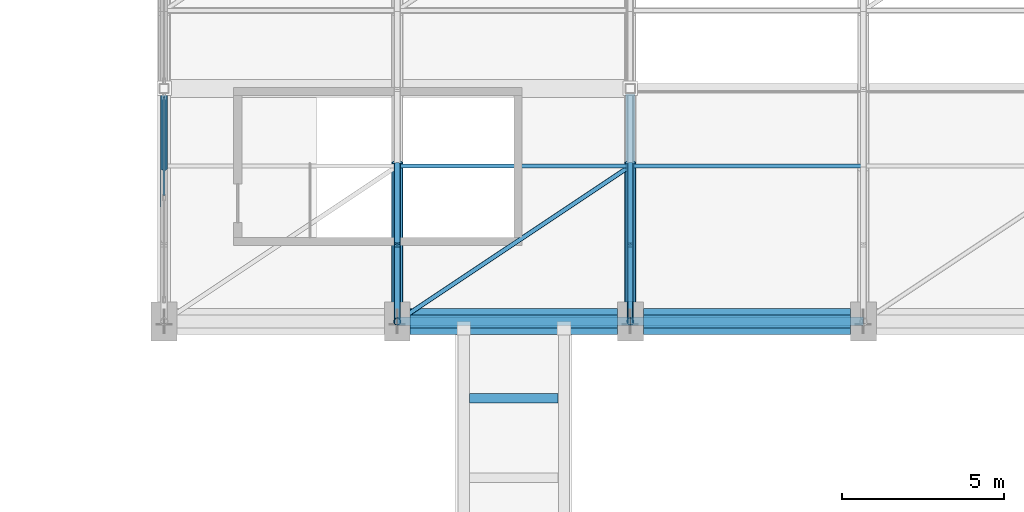
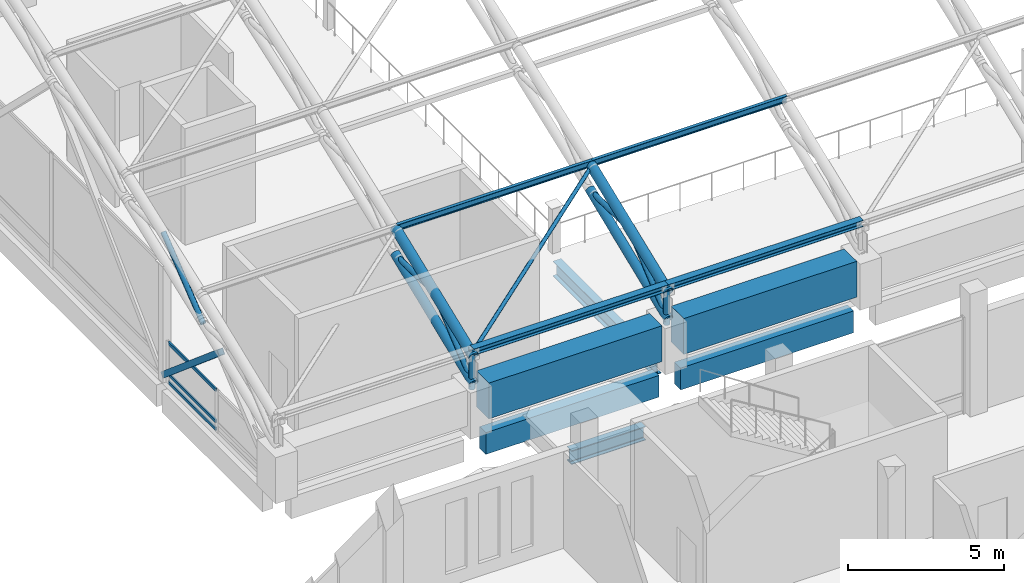
# One storey, part 27 of 116: 20 members, 6 beams, 1 element without a shape of its own.
"""IFC4 building model written with IfcOpenShell, lengths in metres."""

from ifc_helpers import new_model, si_unit, direction, frame, origin, origin_2d, place, context, subcontext, project, spatial, rectangle, hollow_rectangle, hollow_circle, i_section, extrude, material, material_profile, profile_set, type_object, element, aggregate, save


model = new_model("IFC4")

# Units and contexts
model_context = context("Model", 3, precision=1e-05, world=origin(), true_north=direction((0.0, 1.0)))
body_context = subcontext(model_context, "Body", "Model", "MODEL_VIEW")
ifc_project = project(units=[si_unit("LENGTHUNIT", "METRE"), si_unit("AREAUNIT", "SQUARE_METRE"), si_unit("VOLUMEUNIT", "CUBIC_METRE"), si_unit("PLANEANGLEUNIT", "RADIAN"), si_unit("MASSUNIT", "GRAM", prefix="KILO")], contexts=[model_context])

# Site, building, storey
site_placement = place(None, origin())
site = spatial("IfcSite", under=ifc_project, at=site_placement, CompositionType="ELEMENT")
building_placement = place(site_placement, origin())
building = spatial("IfcBuilding", under=site, at=building_placement, Name="Cendralis Lancet Convention Centre", CompositionType="ELEMENT")
storey_placement = place(building_placement, frame((0.0, 0.0, 15.0)))
storey = spatial("IfcBuildingStorey", under=building, at=storey_placement, Name="L03", CompositionType="ELEMENT", Elevation=15.0)

# Curtain wall, members
ifc_material_1 = material(Name="Anodised bronze architectural aluminium", Category="aluminium")
curtain_wall_type = type_object("IfcCurtainWallType", Name="ARC-CW-PL02", PredefinedType="USERDEFINED", material=ifc_material_1)
curtain_wall_placement = place(storey_placement, origin())
curtain_wall = element("IfcCurtainWall", 1, at=curtain_wall_placement, inside=storey, type_object=curtain_wall_type, Name="L03 Curtain Wall CW-PL2 #136", ObjectType="CURTAIN WALL", PredefinedType="USERDEFINED")
ifc_material_profile_1 = material_profile(ifc_material_1, hollow_rectangle(XDim=0.06005859375, YDim=0.1201171875, WallThickness=0.00390625, at=origin_2d()), Name="AL-TRAN 60x120x4.0")
ifc_profile_set_1 = profile_set([ifc_material_profile_1], Name="Anodised bronze architectural aluminium")
member_type_1 = type_object("IfcMemberType", Name="ARC-CW-TR01", PredefinedType="USERDEFINED", material=ifc_profile_set_1)
member_1_placement = place(storey_placement, frame((139.199951171875, 47.094970703125, 0.06005859375), z_axis=(0.0, 1.0, 0.0), x_axis=(-1.0, 0.0, 0.0)))
member_1 = element("IfcMember", 2, at=member_1_placement, type_object=member_type_1, Name="Transom CW2-CW-PL2-L03-136-T1BOT", ObjectType="TRANSOM", PredefinedType="USERDEFINED", context=body_context, shape_type="SweptSolid", body=[
    extrude(hollow_rectangle(XDim=0.06005859375, YDim=0.1201171875, WallThickness=0.00390625, at=origin_2d()), origin(), (0.0, 0.0, 1.0), 3.034912109375),
])
member_2_placement = place(storey_placement, frame((139.199951171875, 47.094970703125, 0.363037109375), z_axis=(0.0, 1.0, 0.0), x_axis=(-1.0, 0.0, 0.0)))
member_2 = element("IfcMember", 3, at=member_2_placement, type_object=member_type_1, Name="Transom CW2-CW-PL2-L03-136-T1MID", ObjectType="TRANSOM", PredefinedType="USERDEFINED", context=body_context, shape_type="SweptSolid", body=[
    extrude(hollow_rectangle(XDim=0.06005859375, YDim=0.1201171875, WallThickness=0.00390625, at=origin_2d()), origin(), (0.0, 0.0, 1.0), 3.034912109375),
])
member_3_placement = place(storey_placement, frame((139.199951171875, 47.094970703125, 1.590087890625), z_axis=(0.0, 1.0, 0.0), x_axis=(-1.0, 0.0, 0.0)))
member_3 = element("IfcMember", 4, at=member_3_placement, type_object=member_type_1, Name="Transom CW2-CW-PL2-L03-136-T1TOP", ObjectType="TRANSOM", PredefinedType="USERDEFINED", context=body_context, shape_type="SweptSolid", body=[
    extrude(hollow_rectangle(XDim=0.06005859375, YDim=0.1201171875, WallThickness=0.00390625, at=origin_2d()), origin(), (0.0, 0.0, 1.0), 3.034912109375),
])
aggregate(curtain_wall, [member_1, member_2, member_3])

# Beams
ifc_material_2 = material(Name="Concrete G40 (C40/50)", Category="concrete")
ifc_material_profile_2 = material_profile(ifc_material_2, rectangle(XDim=0.800048828125, YDim=1.39990234375, at=origin_2d()), Name="RCB 800x1400")
ifc_profile_set_2 = profile_set([ifc_material_profile_2], Name="Concrete G40 (C40/50)")
beam_type_1 = type_object("IfcBeamType", Name="STR-BM-BG17", PredefinedType="BEAM", material=ifc_profile_set_2)
for number, where, z_axis, x_axis, name in (
    (5, (146.800048828125, 43.199951171875, 1.10009765625), (1.0, 0.0, 0.0), (0.0, 1.0, 0.0), "L03 Beam BG17 #1560"),
    (6, (154.0, 43.199951171875, 1.10009765625), (1.0, 0.0, 0.0), (0.0, 1.0, 0.0), "L03 Beam BG17 #1561"),
):
    element("IfcBeam", number, at=place(storey_placement, frame(where, z_axis=z_axis, x_axis=x_axis)), inside=storey, type_object=beam_type_1, Name=name, PredefinedType="BEAM", context=body_context, shape_type="SweptSolid", body=[
        extrude(rectangle(XDim=0.800048828125, YDim=1.39990234375, at=origin_2d()), origin(), (0.0, 0.0, 1.0), 6.39990234375),
    ])
ifc_material_3 = material(Name="Steel S355", Category="steel")
ifc_material_profile_3 = material_profile(ifc_material_3, i_section(OverallWidth=0.300048828125, OverallDepth=0.590087890625, WebThickness=0.012939453125, FlangeThickness=0.02490234375, FilletRadius=0.027099609375, at=origin_2d()), Name="HEA 600")
ifc_profile_set_3 = profile_set([ifc_material_profile_3], Name="Steel S355")
beam_type_2 = type_object("IfcBeamType", Name="STR-BM-SG10", PredefinedType="BEAM", material=ifc_profile_set_3)
beam_1_placement = place(storey_placement, frame((153.60009765625, 43.800048828125, -0.554931640625), z_axis=(0.0, 1.0, 0.0), x_axis=(-1.0, 0.0, 0.0)))
element("IfcBeam", 7, at=beam_1_placement, inside=storey, type_object=beam_type_2, Name="L03 Beam SG10 #1537", PredefinedType="BEAM", context=body_context, shape_type="SweptSolid", body=[
    extrude(i_section(OverallWidth=0.300048828125, OverallDepth=0.590087890625, WebThickness=0.012939453125, FlangeThickness=0.02490234375, FilletRadius=0.027099609375, at=origin_2d()), origin(), (0.0, 0.0, 1.0), 6.425048828125),
])
ifc_material_profile_4 = material_profile(ifc_material_3, i_section(OverallWidth=0.300048828125, OverallDepth=0.5400390625, WebThickness=0.012451171875, FlangeThickness=0.02392578125, FilletRadius=0.027099609375, at=origin_2d()), Name="HEA 550")
ifc_profile_set_4 = profile_set([ifc_material_profile_4], Name="Steel S355")
beam_type_3 = type_object("IfcBeamType", Name="STR-BM-SG11", PredefinedType="BEAM", material=ifc_profile_set_4)
beam_2_placement = place(storey_placement, frame((148.6298828125, 40.823974609375, -0.469970703125), z_axis=(1.0, 0.0, 0.0), x_axis=(0.0, 1.0, 0.0)))
element("IfcBeam", 8, at=beam_2_placement, inside=storey, type_object=beam_type_3, Name="L03 Beam SG11 #1943", PredefinedType="BEAM", context=body_context, shape_type="SweptSolid", body=[
    extrude(i_section(OverallWidth=0.300048828125, OverallDepth=0.5400390625, WebThickness=0.012451171875, FlangeThickness=0.02392578125, FilletRadius=0.027099609375, at=origin_2d()), origin(), (0.0, 0.0, 1.0), 2.740234375),
])

# Members
ifc_material_profile_5 = material_profile(ifc_material_3, hollow_rectangle(XDim=0.219970703125, YDim=0.219970703125, WallThickness=0.012451171875, at=origin_2d()), Name="SHS 220x220x12.5")
ifc_profile_set_5 = profile_set([ifc_material_profile_5], Name="Steel S355")
member_type_2 = type_object("IfcMemberType", Name="STR-BR-GB02", PredefinedType="BRACE", material=ifc_profile_set_5)
member_4_placement = place(storey_placement, frame((139.199951171875, 50.39990234375, 0.199951171875), z_axis=(0.0, -0.762583352591, 0.646889967732), x_axis=(1.0, 0.0, 0.0)))
element("IfcMember", 9, at=member_4_placement, inside=storey, type_object=member_type_2, Name="Plenary Gable Gothic Ogival Tracery Rib GBR2 #062", PredefinedType="BRACE", context=body_context, shape_type="SweptSolid", body=[
    extrude(hollow_rectangle(XDim=0.219970703125, YDim=0.219970703125, WallThickness=0.012451171875, at=origin_2d()), origin(), (0.0, 0.0, 1.0), 4.720703125),
])
ifc_material_profile_6 = material_profile(ifc_material_3, hollow_circle(Radius=0.06982421875, WallThickness=0.00634765625, at=origin_2d()), Name="CHS 139.7x6.3")
ifc_profile_set_6 = profile_set([ifc_material_profile_6], Name="Steel S355")
member_type_3 = type_object("IfcMemberType", Name="STR-BR-RB02", PredefinedType="BRACE", material=ifc_profile_set_6)
member_5_placement = place(storey_placement, frame((146.39990234375, 43.199951171875, 2.85009765625), z_axis=(0.812611226242, 0.541731632956, 0.214918200349), x_axis=(-0.554693685541, 0.832054634757, 0.0)))
element("IfcMember", 10, at=member_5_placement, inside=storey, type_object=member_type_3, Name="Roof Diaphragm Brace RB02 V2-01-00A", PredefinedType="BRACE", context=body_context, shape_type="SweptSolid", body=[
    extrude(hollow_circle(Radius=0.06982421875, WallThickness=0.00634765625, at=origin_2d()), origin(), (0.0, 0.0, 1.0), 8.860595703125),
])
ifc_material_profile_7 = material_profile(ifc_material_3, i_section(OverallWidth=0.1201171875, OverallDepth=0.239990234375, WebThickness=0.006103515625, FlangeThickness=0.009765625, FilletRadius=0.014892578125, at=origin_2d()), Name="IPE 240")
ifc_profile_set_7 = profile_set([ifc_material_profile_7], Name="Steel S355")
member_type_4 = type_object("IfcMemberType", Name="STR-PR-PR02", PredefinedType="PURLIN", material=ifc_profile_set_7)
member_6_placement = place(storey_placement, frame((146.39990234375, 48.0, 4.884521484375), z_axis=(1.0, 0.0, 0.0), x_axis=(0.0, 1.0, 0.0)))
element("IfcMember", 11, at=member_6_placement, inside=storey, type_object=member_type_4, Name="Vault Roof Purlin PR02 V2-01-01", PredefinedType="PURLIN", context=body_context, shape_type="SweptSolid", body=[
    extrude(i_section(OverallWidth=0.1201171875, OverallDepth=0.239990234375, WebThickness=0.006103515625, FlangeThickness=0.009765625, FilletRadius=0.014892578125, at=origin_2d()), origin(), (0.0, 0.0, 1.0), 7.2001953125),
])
member_7_placement = place(storey_placement, frame((153.60009765625, 48.0, 4.884521484375), z_axis=(1.0, 0.0, 0.0), x_axis=(0.0, 1.0, 0.0)))
element("IfcMember", 12, at=member_7_placement, inside=storey, type_object=member_type_4, Name="Vault Roof Purlin PR02 V2-02-01", PredefinedType="PURLIN", context=body_context, shape_type="SweptSolid", body=[
    extrude(i_section(OverallWidth=0.1201171875, OverallDepth=0.239990234375, WebThickness=0.006103515625, FlangeThickness=0.009765625, FilletRadius=0.014892578125, at=origin_2d()), origin(), (0.0, 0.0, 1.0), 7.199951171875),
])
ifc_material_profile_8 = material_profile(ifc_material_3, i_section(OverallWidth=0.260009765625, OverallDepth=0.25, WebThickness=0.007568359375, FlangeThickness=0.012451171875, FilletRadius=0.02392578125, at=origin_2d()), Name="HEA 260")
ifc_profile_set_8 = profile_set([ifc_material_profile_8], Name="Steel S355")
member_type_5 = type_object("IfcMemberType", Name="STR-PR-PR07", PredefinedType="PURLIN", material=ifc_profile_set_8)
member_8_placement = place(storey_placement, frame((146.39990234375, 43.199951171875, 2.97509765625), z_axis=(1.0, 0.0, 0.0), x_axis=(0.0, 1.0, 0.0)))
element("IfcMember", 13, at=member_8_placement, inside=storey, type_object=member_type_5, Name="Vault Roof Purlin PR07 V2-01-00", PredefinedType="PURLIN", context=body_context, shape_type="SweptSolid", body=[
    extrude(i_section(OverallWidth=0.260009765625, OverallDepth=0.25, WebThickness=0.007568359375, FlangeThickness=0.012451171875, FilletRadius=0.02392578125, at=origin_2d()), origin(), (0.0, 0.0, 1.0), 7.2001953125),
])
member_9_placement = place(storey_placement, frame((153.60009765625, 43.199951171875, 2.97509765625), z_axis=(1.0, 0.0, 0.0), x_axis=(0.0, 1.0, 0.0)))
element("IfcMember", 14, at=member_9_placement, inside=storey, type_object=member_type_5, Name="Vault Roof Purlin PR07 V2-02-00", PredefinedType="PURLIN", context=body_context, shape_type="SweptSolid", body=[
    extrude(i_section(OverallWidth=0.260009765625, OverallDepth=0.25, WebThickness=0.007568359375, FlangeThickness=0.012451171875, FilletRadius=0.02392578125, at=origin_2d()), origin(), (0.0, 0.0, 1.0), 7.199951171875),
])

# Beams
ifc_material_profile_9 = material_profile(ifc_material_2, rectangle(XDim=0.39990234375, YDim=0.85009765625, at=origin_2d()), Name="RCB 400x850")
ifc_profile_set_9 = profile_set([ifc_material_profile_9], Name="Concrete G40 (C40/50)")
beam_type_4 = type_object("IfcBeamType", Name="STR-SP-SP02", PredefinedType="SPANDREL", material=ifc_profile_set_9)
for number, where, z_axis, x_axis, name in (
    (15, (146.800048828125, 43.199951171875, -0.68505859375), (1.0, 0.0, 0.0), (0.0, 1.0, 0.0), "L03 Beam SP02 #1505"),
    (16, (154.0, 43.199951171875, -0.68505859375), (1.0, 0.0, 0.0), (0.0, 1.0, 0.0), "L03 Beam SP02 #1506"),
):
    element("IfcBeam", number, at=place(storey_placement, frame(where, z_axis=z_axis, x_axis=x_axis)), inside=storey, type_object=beam_type_4, Name=name, PredefinedType="SPANDREL", context=body_context, shape_type="SweptSolid", body=[
        extrude(rectangle(XDim=0.39990234375, YDim=0.85009765625, at=origin_2d()), origin(), (0.0, 0.0, 1.0), 6.39990234375),
    ])

# Members
ifc_material_profile_10 = material_profile(ifc_material_3, hollow_circle(Radius=0.161865234375, WallThickness=0.01416015625, at=origin_2d()), Name="CHS 323.9x14.2")
ifc_profile_set_10 = profile_set([ifc_material_profile_10], Name="Steel S355")
member_type_6 = type_object("IfcMemberType", Name="STR-TR-BC02-INT", PredefinedType="CHORD", material=ifc_profile_set_10)
for number, where, z_axis, x_axis, name in (
    (17, (146.39990234375, 43.088623046875, 1.755126953125), (0.0, 0.927278249077, 0.374372874002), (-1.0, 0.0, 0.0), "ROOF TRUSS AT-V2-02 Bottom Chord 00"),
    (18, (153.60009765625, 43.088623046875, 1.755126953125), (0.0, 0.927278249077, 0.374372874002), (-1.0, 0.0, 0.0), "ROOF TRUSS AT-V2-03 Bottom Chord 00"),
):
    element("IfcMember", number, at=place(storey_placement, frame(where, z_axis=z_axis, x_axis=x_axis)), inside=storey, type_object=member_type_6, Name=name, PredefinedType="CHORD", context=body_context, shape_type="SweptSolid", body=[
        extrude(hollow_circle(Radius=0.161865234375, WallThickness=0.01416015625, at=origin_2d()), origin(), (0.0, 0.0, 1.0), 5.41650390625),
    ])
ifc_material_profile_11 = material_profile(ifc_material_3, hollow_circle(Radius=0.177734375, WallThickness=0.01611328125, at=origin_2d()), Name="CHS 355.6x16.0")
ifc_profile_set_11 = profile_set([ifc_material_profile_11], Name="Steel S355")
member_type_7 = type_object("IfcMemberType", Name="STR-TR-TC02-INT", PredefinedType="CHORD", material=ifc_profile_set_11)
for number, where, z_axis, x_axis, name in (
    (19, (146.39990234375, 43.08837890625, 2.8056640625), (0.0, 0.929501282069, 0.368818880525), (-1.0, 0.0, 0.0), "ROOF TRUSS AT-V2-02 Top Chord 00"),
    (20, (153.60009765625, 43.08837890625, 2.8056640625), (0.0, 0.929501282069, 0.368818880525), (-1.0, 0.0, 0.0), "ROOF TRUSS AT-V2-03 Top Chord 00"),
):
    element("IfcMember", number, at=place(storey_placement, frame(where, z_axis=z_axis, x_axis=x_axis)), inside=storey, type_object=member_type_7, Name=name, PredefinedType="CHORD", context=body_context, shape_type="SweptSolid", body=[
        extrude(hollow_circle(Radius=0.177734375, WallThickness=0.01611328125, at=origin_2d()), origin(), (0.0, 0.0, 1.0), 5.404296875),
    ])
ifc_material_profile_12 = material_profile(ifc_material_3, hollow_circle(Radius=0.096923828125, WallThickness=0.008056640625, at=origin_2d()), Name="CHS 193.7x8.0")
ifc_profile_set_12 = profile_set([ifc_material_profile_12], Name="Steel S355")
member_type_8 = type_object("IfcMemberType", Name="STR-TR-WD02", PredefinedType="BRACE", material=ifc_profile_set_12)
member_10_placement = place(storey_placement, frame((139.199951171875, 47.921630859375, 3.67578125), z_axis=(0.0, 0.782673873306, 0.62243201078), x_axis=(-1.0, 0.0, 0.0)))
element("IfcMember", 21, at=member_10_placement, inside=storey, type_object=member_type_8, Name="ROOF TRUSS AT-V2-01 Warren Web 01-0", PredefinedType="BRACE", context=body_context, shape_type="SweptSolid", body=[
    extrude(hollow_circle(Radius=0.096923828125, WallThickness=0.008056640625, at=origin_2d()), origin(), (0.0, 0.0, 1.0), 3.2666015625),
])
ifc_material_profile_13 = material_profile(ifc_material_3, hollow_circle(Radius=0.096923828125, WallThickness=0.008056640625, at=origin_2d()), Name="CHS 193.7x8.0")
ifc_profile_set_13 = profile_set([ifc_material_profile_13], Name="Steel S355")
member_type_9 = type_object("IfcMemberType", Name="STR-TR-WD02-INT", PredefinedType="BRACE", material=ifc_profile_set_13)
member_11_placement = place(storey_placement, frame((146.39990234375, 43.123291015625, 1.73583984375), z_axis=(0.0, 0.767817962022, 0.640668070998), x_axis=(-1.0, 0.0, 0.0)))
element("IfcMember", 22, at=member_11_placement, inside=storey, type_object=member_type_9, Name="ROOF TRUSS AT-V2-02 Warren Web 00-0", PredefinedType="BRACE", context=body_context, shape_type="SweptSolid", body=[
    extrude(hollow_circle(Radius=0.096923828125, WallThickness=0.008056640625, at=origin_2d()), origin(), (0.0, 0.0, 1.0), 3.32568359375),
])
member_12_placement = place(storey_placement, frame((146.39990234375, 45.5, 3.804931640625), z_axis=(0.0, 0.999642128324, -0.026750986533), x_axis=(-1.0, 0.0, 0.0)))
element("IfcMember", 23, at=member_12_placement, inside=storey, type_object=member_type_9, Name="ROOF TRUSS AT-V2-02 Warren Web 00-1", PredefinedType="BRACE", context=body_context, shape_type="SweptSolid", body=[
    extrude(hollow_circle(Radius=0.096923828125, WallThickness=0.008056640625, at=origin_2d()), origin(), (0.0, 0.0, 1.0), 2.60107421875),
])
member_13_placement = place(storey_placement, frame((153.60009765625, 43.123291015625, 1.73583984375), z_axis=(0.0, 0.767817962022, 0.640668070998), x_axis=(-1.0, 0.0, 0.0)))
element("IfcMember", 24, at=member_13_placement, inside=storey, type_object=member_type_9, Name="ROOF TRUSS AT-V2-03 Warren Web 00-0", PredefinedType="BRACE", context=body_context, shape_type="SweptSolid", body=[
    extrude(hollow_circle(Radius=0.096923828125, WallThickness=0.008056640625, at=origin_2d()), origin(), (0.0, 0.0, 1.0), 3.32568359375),
])
member_14_placement = place(storey_placement, frame((153.60009765625, 45.5, 3.804931640625), z_axis=(0.0, 0.999642128324, -0.026750986533), x_axis=(-1.0, 0.0, 0.0)))
element("IfcMember", 25, at=member_14_placement, inside=storey, type_object=member_type_9, Name="ROOF TRUSS AT-V2-03 Warren Web 00-1", PredefinedType="BRACE", context=body_context, shape_type="SweptSolid", body=[
    extrude(hollow_circle(Radius=0.096923828125, WallThickness=0.008056640625, at=origin_2d()), origin(), (0.0, 0.0, 1.0), 2.60107421875),
])
ifc_material_profile_14 = material_profile(ifc_material_3, hollow_circle(Radius=0.109619140625, WallThickness=0.010009765625, at=origin_2d()), Name="CHS 219.1x10.0")
ifc_profile_set_14 = profile_set([ifc_material_profile_14], Name="Steel S355")
member_type_10 = type_object("IfcMemberType", Name="STR-TR-WV02-INT", PredefinedType="POST", material=ifc_profile_set_14)
for number, where, z_axis, x_axis, name in (
    (26, (146.39990234375, 43.199951171875, 1.5), (0.0, 0.0, 1.0), (1.0, 0.0, 0.0), "ROOF TRUSS AT-V2-02 Springing Post N00"),
    (27, (153.60009765625, 43.199951171875, 1.5), (0.0, 0.0, 1.0), (1.0, 0.0, 0.0), "ROOF TRUSS AT-V2-03 Springing Post N00"),
):
    element("IfcMember", number, at=place(storey_placement, frame(where, z_axis=z_axis, x_axis=x_axis)), inside=storey, type_object=member_type_10, Name=name, PredefinedType="POST", context=body_context, shape_type="SweptSolid", body=[
        extrude(hollow_circle(Radius=0.109619140625, WallThickness=0.010009765625, at=origin_2d()), origin(), (0.0, 0.0, 1.0), 1.570068359375),
    ])

save(model, "model.ifc")
